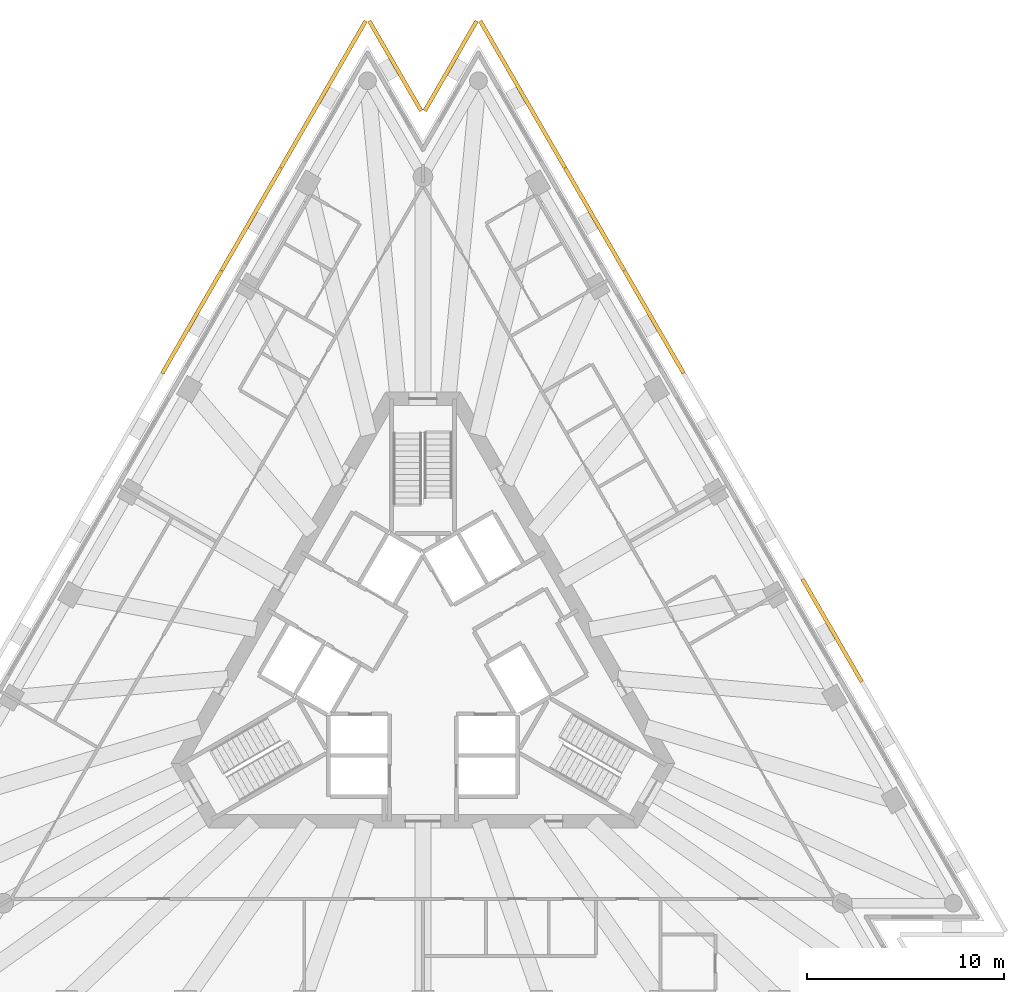
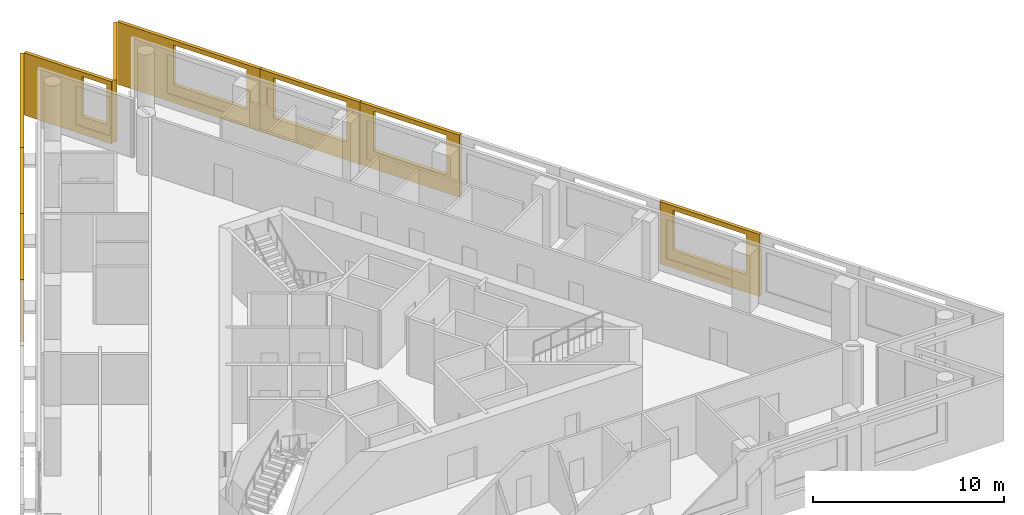
# One storey, part 9 of 9: 9 shading devices.
"""IFC4 building model written with IfcOpenShell, lengths in metres."""

from ifc_helpers import new_model, si_unit, direction, frame, origin, place, context, subcontext, project, spatial, polyline, outline, extrude, material, layer, layer_set, type_object, element, save


model = new_model("IFC4")

# Units and contexts
model_context = context("Model", 3, precision=1e-05, world=origin(), true_north=direction((0.0, 1.0)))
body_context = subcontext(model_context, "Body", "Model", "MODEL_VIEW")
ifc_project = project(units=[si_unit("LENGTHUNIT", "METRE"), si_unit("AREAUNIT", "SQUARE_METRE"), si_unit("VOLUMEUNIT", "CUBIC_METRE"), si_unit("PLANEANGLEUNIT", "RADIAN"), si_unit("MASSUNIT", "GRAM", prefix="KILO")], contexts=[model_context])

# Site, building, storey
site_placement = place(None, origin())
site = spatial("IfcSite", under=ifc_project, at=site_placement, CompositionType="ELEMENT")
building_placement = place(site_placement, origin())
building = spatial("IfcBuilding", under=site, at=building_placement, Name="Triada Interchange Tower", CompositionType="ELEMENT")
storey_placement = place(building_placement, frame((0.0, 0.0, 219.300048828125)))
storey = spatial("IfcBuildingStorey", under=building, at=storey_placement, Name="L51", CompositionType="ELEMENT", Elevation=219.300048828125)

# Shading devices
ifc_material = material(Name="Concrete C50/60 precast", Category="concrete")
ifc_layer_1 = layer(ifc_material, 0.02001953125, Name="Exposed aggregate face")
ifc_layer_2 = layer(ifc_material, 0.179931640625, Name="Precast concrete screen")
ifc_layer_set = layer_set([ifc_layer_1, ifc_layer_2], Name="Outer skin screen panel 3980")
shading_device_type = type_object("IfcShadingDeviceType", Name="Outer skin screen panel 3980", PredefinedType="SHUTTER", material=ifc_layer_set)
shading_device_1_placement = place(storey_placement, frame((-2.827880859375, 32.52099609375, -0.2900390625), z_axis=(0.0, 0.0, 1.0), x_axis=(-0.499971748216, -0.866041714345, 0.0)))
element("IfcShadingDevice", 1, at=shading_device_1_placement, inside=storey, type_object=shading_device_type, Name="Outer skin screen panel L51 01", PredefinedType="SHUTTER", context=body_context, shape_type="SweptSolid", body=[
    extrude(outline(polyline([(0.0, 0.0), (8.61865234375, 0.0), (8.61865234375, 3.97998046875), (0.0, 3.97998046875), (0.0, 0.0)]), holes=[polyline([(3.40869140625, 1.139892578125), (3.40869140625, 3.68994140625), (7.80859375, 3.68994140625), (7.80859375, 1.139892578125), (3.40869140625, 1.139892578125)])]), frame((0.0, 0.0, 0.0), z_axis=(0.0, -1.0, 0.0), x_axis=(1.0, 0.0, 0.0)), (0.0, 0.0, 1.0), 0.199951171875),
])
shading_device_2_placement = place(storey_placement, frame((-7.14697265625, 25.0400390625, -0.2900390625), z_axis=(0.0, 0.0, 1.0), x_axis=(-0.500076946771, -0.865980973987, 0.0)))
element("IfcShadingDevice", 2, at=shading_device_2_placement, inside=storey, type_object=shading_device_type, Name="Outer skin screen panel L51 02", PredefinedType="SHUTTER", context=body_context, shape_type="SweptSolid", body=[
    extrude(outline(polyline([(0.0, 0.0), (6.02099609375, 0.0), (6.02099609375, 3.97998046875), (0.0, 3.97998046875), (0.0, 0.0)]), holes=[polyline([(0.81005859375, 1.139892578125), (0.81005859375, 3.68994140625), (5.2099609375, 3.68994140625), (5.2099609375, 1.139892578125), (0.81005859375, 1.139892578125)])]), frame((0.0, 0.0, 0.0), z_axis=(0.0, -1.0, 0.0), x_axis=(1.0, 0.0, 0.0)), (0.0, 0.0, 1.0), 0.199951171875),
])
shading_device_3_placement = place(storey_placement, frame((-10.16796875, 19.80908203125, -0.2900390625), z_axis=(0.0, 0.0, 1.0), x_axis=(-0.499955300828, -0.866051209326, 0.0)))
element("IfcShadingDevice", 3, at=shading_device_3_placement, inside=storey, type_object=shading_device_type, Name="Outer skin screen panel L51 03", PredefinedType="SHUTTER", context=body_context, shape_type="SweptSolid", body=[
    extrude(outline(polyline([(0.0, 0.0), (6.0205078125, 0.0), (6.0205078125, 3.97998046875), (0.0, 3.97998046875), (0.0, 0.0)]), holes=[polyline([(0.810546875, 1.139892578125), (0.810546875, 3.68994140625), (5.21044921875, 3.68994140625), (5.21044921875, 1.139892578125), (0.810546875, 1.139892578125)])]), frame((0.0, 0.0, 0.0), z_axis=(0.0, -1.0, 0.0), x_axis=(1.0, 0.0, 0.0)), (0.0, 0.0, 1.0), 0.199951171875),
])
shading_device_4_placement = place(storey_placement, frame((22.239013671875, -1.09912109375, -0.2900390625), z_axis=(0.0, 0.0, 1.0), x_axis=(-0.500076946771, 0.865980973987, 0.0)))
element("IfcShadingDevice", 4, at=shading_device_4_placement, inside=storey, type_object=shading_device_type, Name="Outer skin screen panel L51 23", PredefinedType="SHUTTER", context=body_context, shape_type="SweptSolid", body=[
    extrude(outline(polyline([(0.0, 0.0), (6.02099609375, 0.0), (6.02099609375, 3.97998046875), (0.0, 3.97998046875), (0.0, 0.0)]), holes=[polyline([(0.810302734375, 1.139892578125), (0.810302734375, 3.68994140625), (5.210205078125, 3.68994140625), (5.210205078125, 1.139892578125), (0.810302734375, 1.139892578125)])]), frame((0.0, 0.0, 0.0), z_axis=(0.0, -1.0, 0.0), x_axis=(1.0, 0.0, 0.0)), (0.0, 0.0, 1.0), 0.199951171875),
])
shading_device_5_placement = place(storey_placement, frame((13.177978515625, 14.594970703125, -0.2900390625), z_axis=(0.0, 0.0, 1.0), x_axis=(-0.499955300828, 0.866051209326, 0.0)))
element("IfcShadingDevice", 5, at=shading_device_5_placement, inside=storey, type_object=shading_device_type, Name="Outer skin screen panel L51 26", PredefinedType="SHUTTER", context=body_context, shape_type="SweptSolid", body=[
    extrude(outline(polyline([(0.0, 0.0), (6.0205078125, 0.0), (6.0205078125, 3.97998046875), (0.0, 3.97998046875), (0.0, 0.0)]), holes=[polyline([(0.810546875, 1.139892578125), (0.810546875, 3.68994140625), (5.210693359375, 3.68994140625), (5.210693359375, 1.139892578125), (0.810546875, 1.139892578125)])]), frame((0.0, 0.0, 0.0), z_axis=(0.0, -1.0, 0.0), x_axis=(1.0, 0.0, 0.0)), (0.0, 0.0, 1.0), 0.199951171875),
])
shading_device_6_placement = place(storey_placement, frame((10.157958984375, 19.825927734375, -0.2900390625), z_axis=(0.0, 0.0, 1.0), x_axis=(-0.500076946771, 0.865980973987, 0.0)))
element("IfcShadingDevice", 6, at=shading_device_6_placement, inside=storey, type_object=shading_device_type, Name="Outer skin screen panel L51 27", PredefinedType="SHUTTER", context=body_context, shape_type="SweptSolid", body=[
    extrude(outline(polyline([(0.0, 0.0), (6.02099609375, 0.0), (6.02099609375, 3.97998046875), (0.0, 3.97998046875), (0.0, 0.0)]), holes=[polyline([(0.81005859375, 1.139892578125), (0.81005859375, 3.68994140625), (5.210205078125, 3.68994140625), (5.210205078125, 1.139892578125), (0.81005859375, 1.139892578125)])]), frame((0.0, 0.0, 0.0), z_axis=(0.0, -1.0, 0.0), x_axis=(1.0, 0.0, 0.0)), (0.0, 0.0, 1.0), 0.199951171875),
])
shading_device_7_placement = place(storey_placement, frame((7.136962890625, 25.056884765625, -0.2900390625), z_axis=(0.0, 0.0, 1.0), x_axis=(-0.499971748216, 0.866041714345, 0.0)))
element("IfcShadingDevice", 7, at=shading_device_7_placement, inside=storey, type_object=shading_device_type, Name="Outer skin screen panel L51 28", PredefinedType="SHUTTER", context=body_context, shape_type="SweptSolid", body=[
    extrude(outline(polyline([(0.0, 0.0), (8.61865234375, 0.0), (8.61865234375, 3.97998046875), (0.0, 3.97998046875), (0.0, 0.0)]), holes=[polyline([(0.810546875, 1.139892578125), (0.810546875, 3.68994140625), (5.210693359375, 3.68994140625), (5.210693359375, 1.139892578125), (0.810546875, 1.139892578125)])]), frame((0.0, 0.0, 0.0), z_axis=(0.0, -1.0, 0.0), x_axis=(1.0, 0.0, 0.0)), (0.0, 0.0, 1.0), 0.199951171875),
])
shading_device_8_placement = place(storey_placement, frame((2.818115234375, 32.52099609375, -0.2900390625), z_axis=(0.0, 0.0, 1.0), x_axis=(-0.500148140063, -0.865939858184, 0.0)))
element("IfcShadingDevice", 8, at=shading_device_8_placement, inside=storey, type_object=shading_device_type, Name="Outer skin screen panel L51 29", PredefinedType="SHUTTER", context=body_context, shape_type="SweptSolid", body=[
    extrude(outline(polyline([(0.0, 0.0), (5.27880859375, 0.0), (5.27880859375, 3.97998046875), (0.0, 3.97998046875), (0.0, 0.0)]), holes=[polyline([(3.175537109375, 1.139892578125), (3.175537109375, 3.68994140625), (4.97900390625, 3.68994140625), (4.97900390625, 1.139892578125), (3.175537109375, 1.139892578125)])]), frame((0.0, 0.0, 0.0), z_axis=(0.0, -1.0, 0.0), x_axis=(1.0, 0.0, 0.0)), (0.0, 0.0, 1.0), 0.199951171875),
])
shading_device_9_placement = place(storey_placement, frame((-0.177978515625, 27.949951171875, -0.2900390625), z_axis=(0.0, 0.0, 1.0), x_axis=(-0.500148140063, 0.865939858184, 0.0)))
element("IfcShadingDevice", 9, at=shading_device_9_placement, inside=storey, type_object=shading_device_type, Name="Outer skin screen panel L51 30", PredefinedType="SHUTTER", context=body_context, shape_type="SweptSolid", body=[
    extrude(outline(polyline([(0.0, 0.0), (5.27880859375, 0.0), (5.27880859375, 3.97998046875), (0.0, 3.97998046875), (0.0, 0.0)]), holes=[polyline([(0.300048828125, 1.139892578125), (0.300048828125, 3.68994140625), (1.758056640625, 3.68994140625), (1.758056640625, 1.139892578125), (0.300048828125, 1.139892578125)])]), frame((0.0, 0.0, 0.0), z_axis=(0.0, -1.0, 0.0), x_axis=(1.0, 0.0, 0.0)), (0.0, 0.0, 1.0), 0.199951171875),
])

save(model, "model.ifc")
